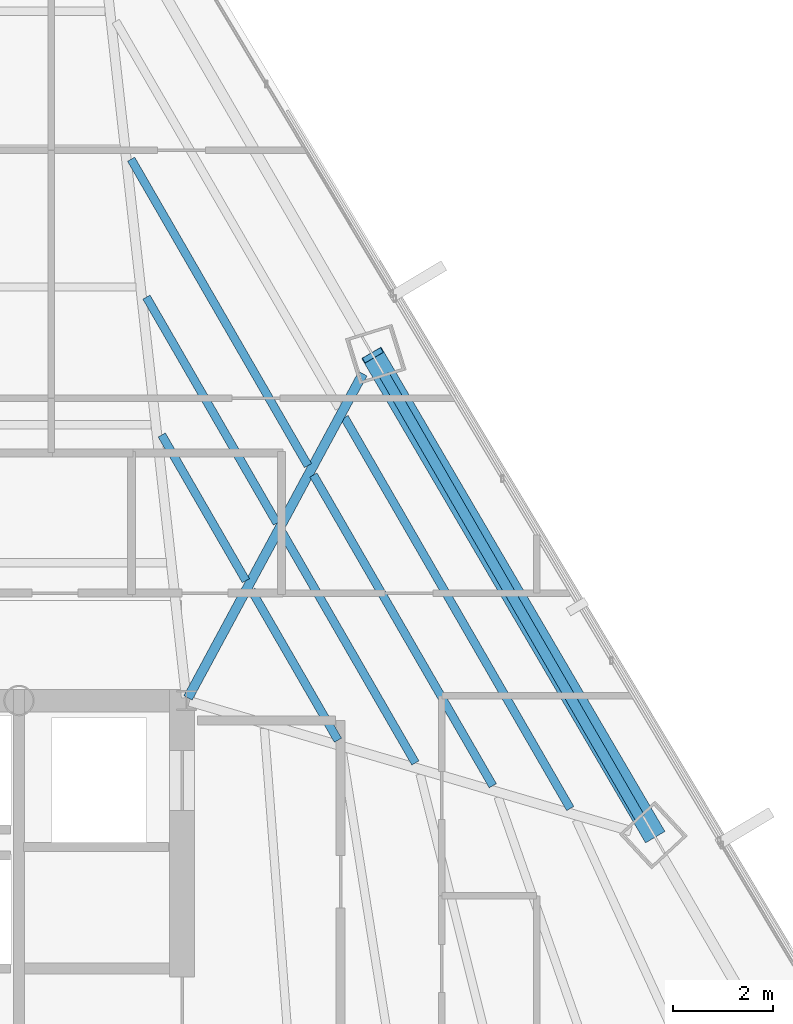
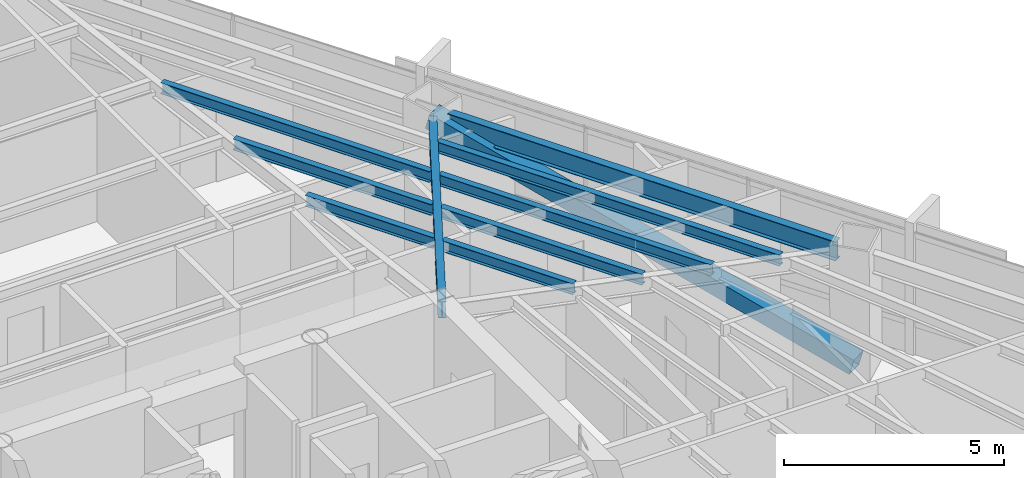
# One storey, part 23 of 40: 9 beams, 1 member.
"""IFC4 building model written with IfcOpenShell, lengths in metres."""

from ifc_helpers import new_model, si_unit, direction, frame, origin, origin_2d, place, context, subcontext, project, spatial, hollow_rectangle, i_section, extrude, source, transform, mapped, material, material_profile, profile_set, type_object, type_shapes, element, save


model = new_model("IFC4")

# Units and contexts
model_context = context("Model", 3, precision=1e-05, world=origin(), true_north=direction((0.0, 1.0)))
body_context = subcontext(model_context, "Body", "Model", "MODEL_VIEW")
ifc_project = project(units=[si_unit("LENGTHUNIT", "METRE"), si_unit("AREAUNIT", "SQUARE_METRE"), si_unit("VOLUMEUNIT", "CUBIC_METRE"), si_unit("PLANEANGLEUNIT", "RADIAN"), si_unit("MASSUNIT", "GRAM", prefix="KILO")], contexts=[model_context])

# Site, building, storey
site_placement = place(None, origin())
site = spatial("IfcSite", under=ifc_project, at=site_placement, CompositionType="ELEMENT")
building_placement = place(site_placement, origin())
building = spatial("IfcBuilding", under=site, at=building_placement, Name="Caelisora Broadcast Tower", CompositionType="ELEMENT")
storey_placement = place(building_placement, frame((0.0, 0.0, 176.75)))
storey = spatial("IfcBuildingStorey", under=building, at=storey_placement, Name="L46", CompositionType="ELEMENT", Elevation=176.75)

# Beams
ifc_material_1 = material(Name="Steel Grade 350 (AS/NZS 3679.1)", Category="steel")
ifc_material_profile_1 = material_profile(ifc_material_1, i_section(OverallWidth=0.208984375, OverallDepth=0.532958984375, WebThickness=0.01025390625, FlangeThickness=0.015625, at=origin_2d()), Name="Steel Grade 350 (AS/NZS 3679.1)")
ifc_profile_set_1 = profile_set([ifc_material_profile_1], Name="Steel Grade 350 (AS/NZS 3679.1)")
beam_type_1 = type_object("IfcBeamType", Name="PG05", PredefinedType="BEAM", material=ifc_profile_set_1)
shared_shape_1 = source(origin(), body_context, "Body", "SweptSolid", [
    extrude(i_section(OverallWidth=0.208984375, OverallDepth=0.532958984375, WebThickness=0.01025390625, FlangeThickness=0.015625, at=origin_2d()), origin(), (0.0, 0.0, 1.0), 10.206787109375),
])
type_shapes(beam_type_1, [shared_shape_1])
beam_1_placement = place(storey_placement, frame((54.558349609375, 27.6669921875, 3.133544921875), z_axis=(-0.500008183122, 0.866020679205, 0.0), x_axis=(-0.866020679205, -0.500008183122, 0.0)))
element("IfcBeam", 1, at=beam_1_placement, inside=storey, type_object=beam_type_1, Name="L46 beam PG05", PredefinedType="BEAM", context=body_context, shape_type="MappedRepresentation", body=[
    mapped(shared_shape_1, transform((0.0, 0.0, 0.0), scale=1.0)),
])
ifc_material_profile_2 = material_profile(ifc_material_1, i_section(OverallWidth=0.19091796875, OverallDepth=0.46044921875, WebThickness=0.010009765625, FlangeThickness=0.01611328125, at=origin_2d()), Name="Steel Grade 350 (AS/NZS 3679.1)")
ifc_profile_set_2 = profile_set([ifc_material_profile_2], Name="Steel Grade 350 (AS/NZS 3679.1)")
beam_type_2 = type_object("IfcBeamType", Name="PG06", PredefinedType="BEAM", material=ifc_profile_set_2)
shared_shape_2 = source(origin(), body_context, "Body", "SweptSolid", [
    extrude(i_section(OverallWidth=0.19091796875, OverallDepth=0.46044921875, WebThickness=0.010009765625, FlangeThickness=0.01611328125, at=origin_2d()), origin(), (0.0, 0.0, 1.0), 7.365478515625),
])
type_shapes(beam_type_2, [shared_shape_2])
beam_2_placement = place(storey_placement, frame((45.528564453125, 30.052734375, 3.169921875), z_axis=(0.474761865056, 0.88011429456, 0.0), x_axis=(-0.88011429456, 0.474761865056, 0.0)))
element("IfcBeam", 2, at=beam_2_placement, inside=storey, type_object=beam_type_2, Name="L46 beam PG06", PredefinedType="BEAM", context=body_context, shape_type="MappedRepresentation", body=[
    mapped(shared_shape_2, transform((0.0, 0.0, 0.0), scale=1.0)),
])
ifc_material_profile_3 = material_profile(ifc_material_1, i_section(OverallWidth=0.166015625, OverallDepth=0.30712890625, WebThickness=0.006591796875, FlangeThickness=0.01171875, at=origin_2d()), Name="Steel Grade 350 (AS/NZS 3679.1)")
ifc_profile_set_3 = profile_set([ifc_material_profile_3], Name="Steel Grade 350 (AS/NZS 3679.1)")
beam_type_3 = type_object("IfcBeamType", Name="SB03", PredefinedType="JOIST", material=ifc_profile_set_3)
shared_shape_3 = source(origin(), body_context, "Body", "SweptSolid", [
    extrude(i_section(OverallWidth=0.166015625, OverallDepth=0.30712890625, WebThickness=0.006591796875, FlangeThickness=0.01171875, at=origin_2d()), origin(), (0.0, 0.0, 1.0), 3.36474609375),
])
beam_3_placement = place(storey_placement, frame((46.68701171875, 32.396240234375, 3.246337890625), z_axis=(-0.500017661448, 0.866015206702, 0.0), x_axis=(-0.866015206702, -0.500017661448, 0.0)))
element("IfcBeam", 3, at=beam_3_placement, inside=storey, type_object=beam_type_3, Name="L46 beam SB03", PredefinedType="JOIST", context=body_context, shape_type="MappedRepresentation", body=[
    mapped(shared_shape_3, transform((0.0, 0.0, 0.0), scale=1.0)),
])
shared_shape_4 = source(origin(), body_context, "Body", "SweptSolid", [
    extrude(i_section(OverallWidth=0.166015625, OverallDepth=0.30712890625, WebThickness=0.006591796875, FlangeThickness=0.01171875, at=origin_2d()), origin(), (0.0, 0.0, 1.0), 5.218994140625),
])
beam_4_placement = place(storey_placement, frame((47.307861328125, 33.547119140625, 3.246337890625), z_axis=(-0.500018049466, 0.86601498267, 0.0), x_axis=(-0.86601498267, -0.500018049466, 0.0)))
element("IfcBeam", 4, at=beam_4_placement, inside=storey, type_object=beam_type_3, Name="L46 beam SB03", PredefinedType="JOIST", context=body_context, shape_type="MappedRepresentation", body=[
    mapped(shared_shape_4, transform((0.0, 0.0, 0.0), scale=1.0)),
])
shared_shape_5 = source(origin(), body_context, "Body", "SweptSolid", [
    extrude(i_section(OverallWidth=0.166015625, OverallDepth=0.30712890625, WebThickness=0.006591796875, FlangeThickness=0.01171875, at=origin_2d()), origin(), (0.0, 0.0, 1.0), 7.07373046875),
])
beam_5_placement = place(storey_placement, frame((47.9287109375, 34.69775390625, 3.246337890625), z_axis=(-0.500003288626, 0.866023505087, 0.0), x_axis=(-0.866023505087, -0.500003288626, 0.0)))
element("IfcBeam", 5, at=beam_5_placement, inside=storey, type_object=beam_type_3, Name="L46 beam SB03", PredefinedType="JOIST", context=body_context, shape_type="MappedRepresentation", body=[
    mapped(shared_shape_5, transform((0.0, 0.0, 0.0), scale=1.0)),
])
shared_shape_6 = source(origin(), body_context, "Body", "SweptSolid", [
    extrude(i_section(OverallWidth=0.166015625, OverallDepth=0.30712890625, WebThickness=0.006591796875, FlangeThickness=0.01171875, at=origin_2d()), origin(), (0.0, 0.0, 1.0), 3.46435546875),
])
beam_6_placement = place(storey_placement, frame((48.5283203125, 29.206787109375, 3.246337890625), z_axis=(-0.499996963119, 0.866027157121, 0.0), x_axis=(-0.866027157121, -0.499996963119, 0.0)))
element("IfcBeam", 6, at=beam_6_placement, inside=storey, type_object=beam_type_3, Name="L46 beam SB03", PredefinedType="JOIST", context=body_context, shape_type="MappedRepresentation", body=[
    mapped(shared_shape_6, transform((0.0, 0.0, 0.0), scale=1.0)),
])
shared_shape_7 = source(origin(), body_context, "Body", "SweptSolid", [
    extrude(i_section(OverallWidth=0.166015625, OverallDepth=0.30712890625, WebThickness=0.006591796875, FlangeThickness=0.01171875, at=origin_2d()), origin(), (0.0, 0.0, 1.0), 5.31884765625),
])
beam_7_placement = place(storey_placement, frame((50.076416015625, 28.751708984375, 3.246337890625), z_axis=(-0.500004560459, 0.866022770786, 0.0), x_axis=(-0.866022770786, -0.500004560459, 0.0)))
element("IfcBeam", 7, at=beam_7_placement, inside=storey, type_object=beam_type_3, Name="L46 beam SB03", PredefinedType="JOIST", context=body_context, shape_type="MappedRepresentation", body=[
    mapped(shared_shape_7, transform((0.0, 0.0, 0.0), scale=1.0)),
])
shared_shape_8 = source(origin(), body_context, "Body", "SweptSolid", [
    extrude(i_section(OverallWidth=0.166015625, OverallDepth=0.30712890625, WebThickness=0.006591796875, FlangeThickness=0.01171875, at=origin_2d()), origin(), (0.0, 0.0, 1.0), 7.17333984375),
])
beam_8_placement = place(storey_placement, frame((51.62451171875, 28.29638671875, 3.246337890625), z_axis=(-0.500008229653, 0.86602065234, 0.0), x_axis=(-0.86602065234, -0.500008229653, 0.0)))
element("IfcBeam", 8, at=beam_8_placement, inside=storey, type_object=beam_type_3, Name="L46 beam SB03", PredefinedType="JOIST", context=body_context, shape_type="MappedRepresentation", body=[
    mapped(shared_shape_8, transform((0.0, 0.0, 0.0), scale=1.0)),
])
shared_shape_9 = source(origin(), body_context, "Body", "SweptSolid", [
    extrude(i_section(OverallWidth=0.166015625, OverallDepth=0.30712890625, WebThickness=0.006591796875, FlangeThickness=0.01171875, at=origin_2d()), origin(), (0.0, 0.0, 1.0), 9.02783203125),
])
type_shapes(beam_type_3, [shared_shape_3, shared_shape_4, shared_shape_5, shared_shape_6, shared_shape_7, shared_shape_8, shared_shape_9])
beam_9_placement = place(storey_placement, frame((53.172607421875, 27.841064453125, 3.246337890625), z_axis=(-0.499998681235, 0.866026165172, 0.0), x_axis=(-0.866026165172, -0.499998681235, 0.0)))
element("IfcBeam", 9, at=beam_9_placement, inside=storey, type_object=beam_type_3, Name="L46 beam SB03", PredefinedType="JOIST", context=body_context, shape_type="MappedRepresentation", body=[
    mapped(shared_shape_9, transform((0.0, 0.0, 0.0), scale=1.0)),
])

# Member
ifc_material_2 = material(Name="Steel Grade 450 (AS/NZS 1163 C450L0)", Category="steel")
ifc_material_profile_4 = material_profile(ifc_material_2, hollow_rectangle(XDim=0.449951171875, YDim=0.449951171875, WallThickness=0.01611328125, at=origin_2d()), Name="Steel Grade 450 (AS/NZS 1163 C450L0)")
ifc_profile_set_4 = profile_set([ifc_material_profile_4], Name="Steel Grade 450 (AS/NZS 1163 C450L0)")
member_type = type_object("IfcMemberType", Name="BR03", PredefinedType="BRACE", material=ifc_profile_set_4)
shared_shape_10 = source(origin(), body_context, "Body", "SweptSolid", [
    extrude(hollow_rectangle(XDim=0.449951171875, YDim=0.449951171875, WallThickness=0.01611328125, at=origin_2d()), origin(), (0.0, 0.0, 1.0), 11.508544921875),
])
type_shapes(member_type, [shared_shape_10])
member_placement = place(storey_placement, frame((54.8427734375, 27.319091796875, 0.10009765625), z_axis=(-0.488152180323, 0.832919866848, 0.260675937239), x_axis=(-0.862748213362, -0.505633780854, 0.0)))
element("IfcMember", 10, at=member_placement, inside=storey, type_object=member_type, Name="L46 perimeter brace BR03", PredefinedType="BRACE", context=body_context, shape_type="MappedRepresentation", body=[
    mapped(shared_shape_10, transform((0.0, 0.0, 0.0), scale=1.0)),
])

save(model, "model.ifc")
